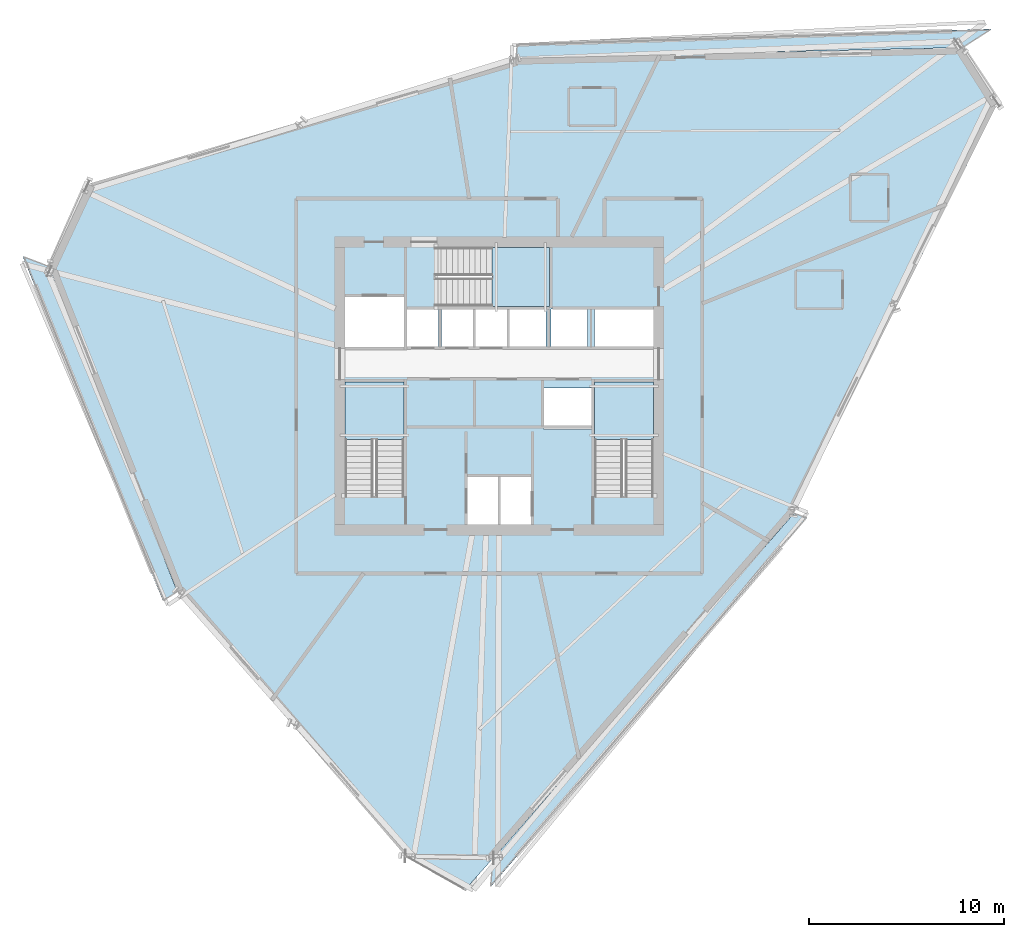
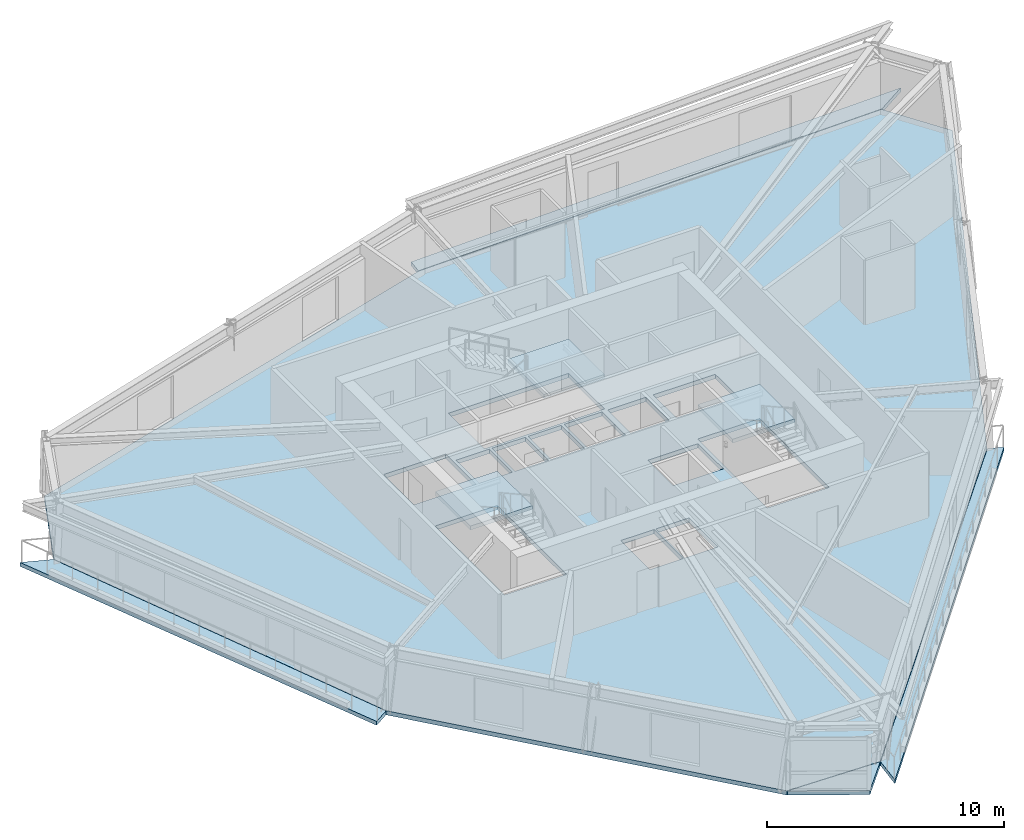
# One storey, part 4 of 13: 8 slabs, 3 elements without a shape of their own.
"""IFC4 building model written with IfcOpenShell, lengths in metres."""

from ifc_helpers import new_model, si_unit, direction, frame, origin, place, context, subcontext, project, spatial, polyline, outline, extrude, material, layer, layer_set, type_object, element, aggregate, save


model = new_model("IFC4")

# Units and contexts
model_context = context("Model", 3, precision=1e-05, world=origin(), true_north=direction((0.0, 1.0)))
body_context = subcontext(model_context, "Body", "Model", "MODEL_VIEW")
ifc_project = project(units=[si_unit("LENGTHUNIT", "METRE"), si_unit("AREAUNIT", "SQUARE_METRE"), si_unit("VOLUMEUNIT", "CUBIC_METRE"), si_unit("PLANEANGLEUNIT", "RADIAN"), si_unit("MASSUNIT", "GRAM", prefix="KILO")], contexts=[model_context])

# Site, building, storey
site_placement = place(None, origin())
site = spatial("IfcSite", under=ifc_project, at=site_placement, CompositionType="ELEMENT")
building_placement = place(site_placement, origin())
building = spatial("IfcBuilding", under=site, at=building_placement, Name="Olszyna Solenne Hotel", CompositionType="ELEMENT")
storey_placement = place(building_placement, frame((0.0, 0.0, 167.89990234375)))
storey = spatial("IfcBuildingStorey", under=building, at=storey_placement, Name="L44", CompositionType="ELEMENT", Elevation=167.89990234375)

# Stair, slab
ifc_material_1 = material(Name="Concrete C40/50", Category="concrete")
stair_type = type_object("IfcStairType", Name="STR-C1", PredefinedType="TWO_QUARTER_WINDING_STAIR", material=ifc_material_1)
stair_1_placement = place(storey_placement, origin())
stair_1 = element("IfcStair", 1, at=stair_1_placement, inside=storey, type_object=stair_type, Name="L44 ST1", PredefinedType="TWO_QUARTER_WINDING_STAIR")
ifc_layer_1 = layer(ifc_material_1, 0.18994140625, Name="Concrete C40/50")
ifc_layer_set_1 = layer_set([ifc_layer_1], Name="Concrete C40/50")
slab_type_1 = type_object("IfcSlabType", Name="SL-LN190", PredefinedType="LANDING", material=ifc_layer_set_1)
slab_1_placement = place(storey_placement, frame((0.0, 0.0, 1.5751953125)))
slab_1 = element("IfcSlab", 2, at=slab_1_placement, type_object=slab_type_1, Name="ST1 landing 1", PredefinedType="LANDING", context=body_context, shape_type="SweptSolid", body=[
    extrude(outline(polyline([(33.1201171875, 23.85009765625), (33.1201171875, 26.800048828125), (30.10009765625, 26.800048828125), (30.10009765625, 23.85009765625), (33.1201171875, 23.85009765625)])), origin(), (0.0, 0.0, 1.0), 0.199951171875),
])
aggregate(stair_1, [slab_1])

stair_2_placement = place(storey_placement, origin())
stair_2 = element("IfcStair", 3, at=stair_2_placement, inside=storey, type_object=stair_type, Name="L44 ST2", PredefinedType="TWO_QUARTER_WINDING_STAIR")
slab_2_placement = place(storey_placement, frame((0.0, 0.0, 1.5751953125)))
slab_2 = element("IfcSlab", 4, at=slab_2_placement, type_object=slab_type_1, Name="ST2 landing 1", PredefinedType="LANDING", context=body_context, shape_type="SweptSolid", body=[
    extrude(outline(polyline([(45.89990234375, 23.85009765625), (45.89990234375, 26.800048828125), (42.8798828125, 26.800048828125), (42.8798828125, 23.85009765625), (45.89990234375, 23.85009765625)])), origin(), (0.0, 0.0, 1.0), 0.199951171875),
])
aggregate(stair_2, [slab_2])

stair_3_placement = place(storey_placement, origin())
stair_3 = element("IfcStair", 5, at=stair_3_placement, inside=storey, type_object=stair_type, Name="L44 ST3", PredefinedType="TWO_QUARTER_WINDING_STAIR")
slab_3_placement = place(storey_placement, frame((0.0, 0.0, 1.5751953125)))
slab_3 = element("IfcSlab", 6, at=slab_3_placement, type_object=slab_type_1, Name="ST3 landing 1", PredefinedType="LANDING", context=body_context, shape_type="SweptSolid", body=[
    extrude(outline(polyline([(37.6298828125, 30.679931640625), (40.580078125, 30.679931640625), (40.580078125, 33.699951171875), (37.6298828125, 33.699951171875), (37.6298828125, 30.679931640625)])), origin(), (0.0, 0.0, 1.0), 0.199951171875),
])
aggregate(stair_3, [slab_3])

# Slabs
ifc_material_2 = material(Name="Precast concrete C45/55", Category="concrete")
ifc_layer_2 = layer(ifc_material_2, 0.199951171875, Name="Precast concrete C45/55")
ifc_layer_set_2 = layer_set([ifc_layer_2], Name="Precast concrete C45/55")
slab_type_2 = type_object("IfcSlabType", Name="SL-LOG200", PredefinedType="FLOOR", material=ifc_layer_set_2)
slab_4_placement = place(storey_placement, frame((0.0, 0.0, -0.199951171875)))
element("IfcSlab", 7, at=slab_4_placement, inside=storey, type_object=slab_type_2, Name="Exterior loggia balcony slab SL-L44-LG1", PredefinedType="FLOOR", context=body_context, shape_type="SweptSolid", body=[
    extrude(outline(polyline([(38.859619140625, 43.395751953125), (61.71435546875, 43.935546875), (61.7158203125, 43.935546875), (61.71728515625, 43.935302734375), (61.718994140625, 43.93505859375), (61.720458984375, 43.9345703125), (61.7216796875, 43.933837890625), (61.72314453125, 43.93310546875), (61.724365234375, 43.93212890625), (61.725341796875, 43.93115234375), (61.7265625, 43.929931640625), (61.727294921875, 43.9287109375), (63.211181640625, 44.885986328125), (38.928955078125, 44.1240234375), (38.859619140625, 43.395751953125)])), origin(), (0.0, 0.0, 1.0), 0.199951171875),
])
slab_5_placement = place(storey_placement, frame((0.0, 0.0, -0.199951171875)))
element("IfcSlab", 8, at=slab_5_placement, inside=storey, type_object=slab_type_2, Name="Exterior loggia balcony slab SL-L44-LG2", PredefinedType="FLOOR", context=body_context, shape_type="SweptSolid", body=[
    extrude(outline(polyline([(21.50634765625, 16.065185546875), (21.505615234375, 16.06640625), (21.5048828125, 16.06787109375), (14.93408203125, 32.707763671875), (14.93359375, 32.709228515625), (14.933349609375, 32.710693359375), (14.93310546875, 32.712158203125), (14.93310546875, 32.7138671875), (14.93310546875, 32.71533203125), (14.93359375, 32.716796875), (14.933837890625, 32.71826171875), (14.93408203125, 32.71875), (13.593017578125, 33.234375), (20.7705078125, 15.5908203125), (21.50634765625, 16.065185546875)])), origin(), (0.0, 0.0, 1.0), 0.199951171875),
])
slab_6_placement = place(storey_placement, frame((0.0, 0.0, -0.199951171875)))
element("IfcSlab", 9, at=slab_6_placement, inside=storey, type_object=slab_type_2, Name="Exterior loggia balcony slab SL-L44-LG3", PredefinedType="FLOOR", context=body_context, shape_type="SweptSolid", body=[
    extrude(outline(polyline([(53.10498046875, 20.08740234375), (53.1044921875, 20.0859375), (53.103759765625, 20.0849609375), (53.10302734375, 20.083740234375), (53.102294921875, 20.082763671875), (37.703857421875, 2.409423828125), (37.70361328125, 2.409423828125), (37.690185546875, 2.39404296875), (37.55078125, 0.93310546875), (53.7685546875, 19.83203125), (53.10498046875, 20.08740234375)])), origin(), (0.0, 0.0, 1.0), 0.199951171875),
])
ifc_material_3 = material(Name="Concrete C50/60", Category="concrete")
ifc_layer_3 = layer(ifc_material_3, 0.219970703125, Name="Concrete C50/60")
ifc_layer_set_3 = layer_set([ifc_layer_3], Name="Concrete C50/60")
slab_type_3 = type_object("IfcSlabType", Name="SL-TW225", PredefinedType="FLOOR", material=ifc_layer_set_3)
slab_7_placement = place(storey_placement, frame((0.0, 0.0, -0.219970703125)))
element("IfcSlab", 10, at=slab_7_placement, inside=storey, type_object=slab_type_3, Name="Floor slab SL-TW225 SL-L44-01", PredefinedType="FLOOR", context=body_context, shape_type="SweptSolid", body=[
    extrude(outline(polyline([(63.526611328125, 41.082275390625), (61.714599609375, 43.920654296875), (38.858154296875, 43.380859375), (16.92041015625, 36.943115234375), (14.947998046875, 32.71337890625), (21.518798828125, 16.073486328125), (33.197998046875, 2.521484375), (37.6923828125, 2.41943359375), (53.091064453125, 20.0927734375), (63.526611328125, 41.082275390625)]), holes=[polyline([(30.10009765625, 20.949951171875), (33.1201171875, 20.949951171875), (33.1201171875, 26.800048828125), (30.10009765625, 26.800048828125), (30.10009765625, 20.949951171875)]), polyline([(42.8798828125, 20.949951171875), (45.89990234375, 20.949951171875), (45.89990234375, 26.800048828125), (42.8798828125, 26.800048828125), (42.8798828125, 20.949951171875)]), polyline([(34.72998046875, 30.679931640625), (40.580078125, 30.679931640625), (40.580078125, 33.699951171875), (34.72998046875, 33.699951171875), (34.72998046875, 30.679931640625)]), polyline([(36.340087890625, 19.5), (37.9599609375, 19.5), (37.9599609375, 21.9599609375), (36.340087890625, 21.9599609375), (36.340087890625, 19.5)]), polyline([(38.0400390625, 19.5), (39.659912109375, 19.5), (39.659912109375, 21.9599609375), (38.0400390625, 21.9599609375), (38.0400390625, 19.5)]), polyline([(30.10009765625, 28.60009765625), (33.1201171875, 28.60009765625), (33.1201171875, 31.159912109375), (30.10009765625, 31.159912109375), (30.10009765625, 28.60009765625)]), polyline([(40.280029296875, 24.360107421875), (42.719970703125, 24.360107421875), (42.719970703125, 26.5), (40.280029296875, 26.5), (40.280029296875, 24.360107421875)]), polyline([(33.280029296875, 28.60009765625), (34.89990234375, 28.60009765625), (34.89990234375, 30.550048828125), (33.280029296875, 30.550048828125), (33.280029296875, 28.60009765625)]), polyline([(35.030029296875, 28.60009765625), (36.64990234375, 28.60009765625), (36.64990234375, 30.550048828125), (35.030029296875, 30.550048828125), (35.030029296875, 28.60009765625)]), polyline([(36.780029296875, 28.60009765625), (38.39990234375, 28.60009765625), (38.39990234375, 30.550048828125), (36.780029296875, 30.550048828125), (36.780029296875, 28.60009765625)]), polyline([(38.530029296875, 28.60009765625), (40.389892578125, 28.60009765625), (40.389892578125, 30.550048828125), (38.530029296875, 30.550048828125), (38.530029296875, 28.60009765625)]), polyline([(40.659912109375, 28.60009765625), (42.52001953125, 28.60009765625), (42.52001953125, 30.550048828125), (40.659912109375, 30.550048828125), (40.659912109375, 28.60009765625)]), polyline([(42.8798828125, 28.60009765625), (45.89990234375, 28.60009765625), (45.89990234375, 30.550048828125), (42.8798828125, 30.550048828125), (42.8798828125, 28.60009765625)])]), origin(), (0.0, 0.0, 1.0), 0.219970703125),
])
slab_8_placement = place(storey_placement, frame((0.0, 0.0, -0.219970703125)))
element("IfcSlab", 11, at=slab_8_placement, inside=storey, type_object=slab_type_3, Name="Faceted glass-prism floor slab SL-L44-PR", PredefinedType="FLOOR", context=body_context, shape_type="SweptSolid", body=[
    extrude(outline(polyline([(37.683837890625, 2.40966796875), (33.216552734375, 2.510986328125), (36.2578125, 0.800048828125), (37.683837890625, 2.40966796875)])), origin(), (0.0, 0.0, 1.0), 0.219970703125),
])

save(model, "model.ifc")
